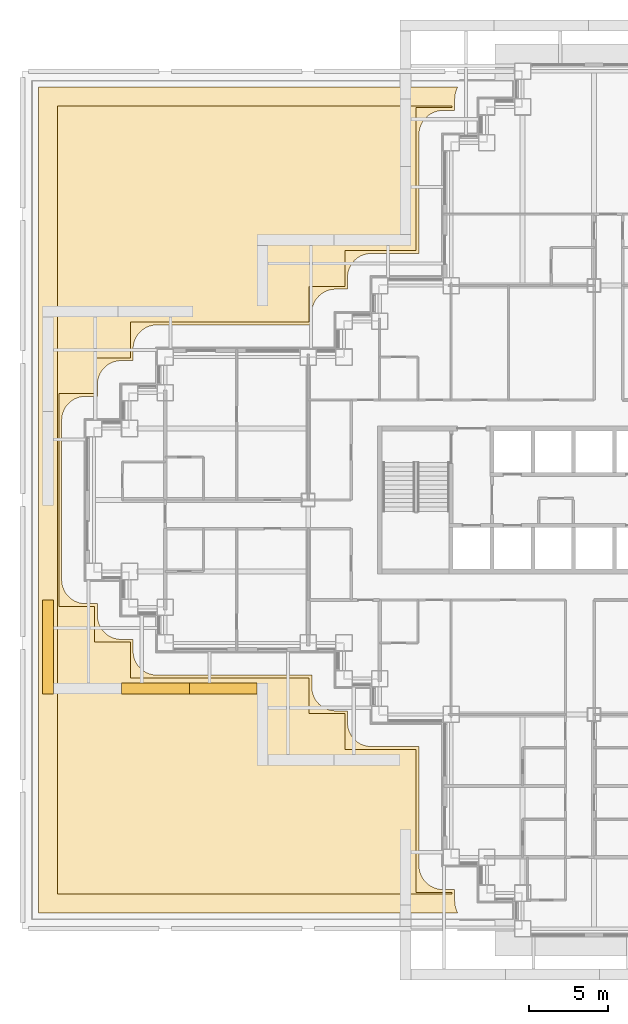
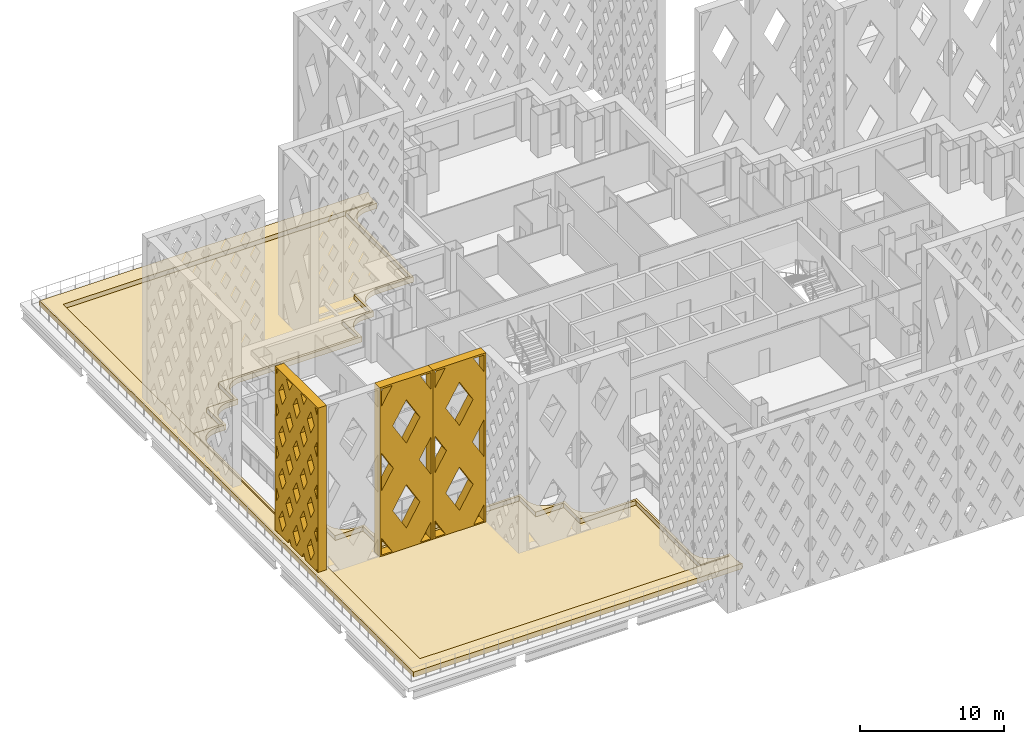
# One storey, part 15 of 26: 3 shading devices, 2 coverings.
"""IFC4 building model written with IfcOpenShell, lengths in metres."""

from ifc_helpers import new_model, si_unit, direction, frame, origin, place, context, subcontext, project, spatial, polyline, outline, extrude, material, layer, layer_set, type_object, element, save


model = new_model("IFC4")

# Units and contexts
model_context = context("Model", 3, precision=1e-05, world=origin(), true_north=direction((0.0, 1.0)))
body_context = subcontext(model_context, "Body", "Model", "MODEL_VIEW")
ifc_project = project(units=[si_unit("LENGTHUNIT", "METRE"), si_unit("AREAUNIT", "SQUARE_METRE"), si_unit("VOLUMEUNIT", "CUBIC_METRE"), si_unit("PLANEANGLEUNIT", "RADIAN"), si_unit("MASSUNIT", "GRAM", prefix="KILO")], contexts=[model_context])

# Site, building, storey
site_placement = place(None, origin())
site = spatial("IfcSite", under=ifc_project, at=site_placement, CompositionType="ELEMENT")
building_placement = place(site_placement, origin())
building = spatial("IfcBuilding", under=site, at=building_placement, Name="Caravel Reach Hotel and Residences", CompositionType="ELEMENT")
storey_placement = place(building_placement, frame((0.0, 0.0, 33.60009765625)))
storey = spatial("IfcBuildingStorey", under=building, at=storey_placement, Name="L06", CompositionType="ELEMENT", Elevation=33.60009765625)

# Shading devices
ifc_material_1 = material(Name="Black powder-coated aluminium", Category="aluminium")
shading_device_type_1 = type_object("IfcShadingDeviceType", Name="Diamond lattice screen panel 4267 x 14400", PredefinedType="USERDEFINED", material=ifc_material_1)
for number, where, z_axis, x_axis, name in (
    (1, (1.74169921875, 15.47509765625, 0.0), (0.0, -1.0, 0.0), (1.0, 0.0, 0.0), "Lattice screen L06-L09 18.2"),
    (2, (6.00830078125, 15.47509765625, 0.0), (0.0, -1.0, 0.0), (1.0, 0.0, 0.0), "Lattice screen L06-L09 18.3"),
):
    element("IfcShadingDevice", number, at=place(storey_placement, frame(where, z_axis=z_axis, x_axis=x_axis)), inside=storey, type_object=shading_device_type_1, Name=name, ObjectType="SCREEN", PredefinedType="USERDEFINED", context=body_context, shape_type="SweptSolid", body=[
        extrude(outline(polyline([(0.0, 0.0), (4.2666015625, 0.0), (4.2666015625, 14.39990234375), (0.0, 14.39990234375), (0.0, 0.0)]), holes=[polyline([(1.003662109375, 0.14990234375), (0.14990234375, 1.590576171875), (0.14990234375, 0.14990234375), (1.003662109375, 0.14990234375)]), polyline([(1.092529296875, 7.199951171875), (0.14990234375, 8.790771484375), (0.14990234375, 5.609375), (1.092529296875, 7.199951171875)]), polyline([(0.14990234375, 12.809326171875), (1.003662109375, 14.25), (0.14990234375, 14.25), (0.14990234375, 12.809326171875)]), polyline([(2.13330078125, 5.44384765625), (1.040771484375, 3.60009765625), (2.13330078125, 1.756103515625), (3.225830078125, 3.60009765625), (2.13330078125, 5.44384765625)]), polyline([(2.13330078125, 12.643798828125), (1.040771484375, 10.800048828125), (2.13330078125, 8.956298828125), (3.225830078125, 10.800048828125), (2.13330078125, 12.643798828125)]), polyline([(4.11669921875, 1.590576171875), (3.262939453125, 0.14990234375), (4.11669921875, 0.14990234375), (4.11669921875, 1.590576171875)]), polyline([(3.174072265625, 7.199951171875), (4.11669921875, 5.609375), (4.11669921875, 8.790771484375), (3.174072265625, 7.199951171875)]), polyline([(3.262939453125, 14.25), (4.11669921875, 12.809326171875), (4.11669921875, 14.25), (3.262939453125, 14.25)])]), origin(), (0.0, 0.0, 1.0), 0.7001953125),
    ])
ifc_material_2 = material(Name="Black powder-coated aluminium", Category="aluminium")
shading_device_type_2 = type_object("IfcShadingDeviceType", Name="Diamond lattice screen panel 5937 x 14400", PredefinedType="USERDEFINED", material=ifc_material_2)
shading_device_placement = place(storey_placement, frame((-2.52490234375, 20.71240234375, 0.0), z_axis=(-1.0, 0.0, 0.0), x_axis=(0.0, -1.0, 0.0)))
element("IfcShadingDevice", 3, at=shading_device_placement, inside=storey, type_object=shading_device_type_2, Name="Lattice screen L06-L09 17.4", ObjectType="SCREEN", PredefinedType="USERDEFINED", context=body_context, shape_type="SweptSolid", body=[
    extrude(outline(polyline([(0.0, 0.0), (5.9375, 0.0), (5.9375, 14.39990234375), (0.0, 14.39990234375), (0.0, 0.0)]), holes=[polyline([(0.412353515625, 0.14990234375), (0.14990234375, 0.626953125), (0.14990234375, 0.14990234375), (0.412353515625, 0.14990234375)]), polyline([(0.49462890625, 3.60009765625), (0.14990234375, 4.22705078125), (0.14990234375, 2.972900390625), (0.49462890625, 3.60009765625)]), polyline([(0.49462890625, 7.199951171875), (0.14990234375, 7.826904296875), (0.14990234375, 6.572998046875), (0.49462890625, 7.199951171875)]), polyline([(0.49462890625, 10.800048828125), (0.14990234375, 11.427001953125), (0.14990234375, 10.173095703125), (0.49462890625, 10.800048828125)]), polyline([(0.14990234375, 13.77294921875), (0.412353515625, 14.25), (0.14990234375, 14.25), (0.14990234375, 13.77294921875)]), polyline([(0.989501953125, 2.699951171875), (0.494873046875, 1.800048828125), (0.989501953125, 0.900146484375), (1.484375, 1.800048828125), (0.989501953125, 2.699951171875)]), polyline([(0.989501953125, 6.2998046875), (0.494873046875, 5.39990234375), (0.989501953125, 4.500244140625), (1.484375, 5.39990234375), (0.989501953125, 6.2998046875)]), polyline([(0.989501953125, 9.89990234375), (0.494873046875, 9.0), (0.989501953125, 8.10009765625), (1.484375, 9.0), (0.989501953125, 9.89990234375)]), polyline([(0.989501953125, 13.499755859375), (0.494873046875, 12.60009765625), (0.989501953125, 11.7001953125), (1.484375, 12.60009765625), (0.989501953125, 13.499755859375)]), polyline([(1.979248046875, 0.89990234375), (1.56689453125, 0.14990234375), (2.391357421875, 0.14990234375), (1.979248046875, 0.89990234375)]), polyline([(1.979248046875, 4.499755859375), (1.484375, 3.60009765625), (1.979248046875, 2.7001953125), (2.473876953125, 3.60009765625), (1.979248046875, 4.499755859375)]), polyline([(1.979248046875, 8.099853515625), (1.484375, 7.199951171875), (1.979248046875, 6.300048828125), (2.473876953125, 7.199951171875), (1.979248046875, 8.099853515625)]), polyline([(1.979248046875, 11.699951171875), (1.484375, 10.800048828125), (1.979248046875, 9.900146484375), (2.473876953125, 10.800048828125), (1.979248046875, 11.699951171875)]), polyline([(1.979248046875, 13.500244140625), (2.391357421875, 14.25), (1.56689453125, 14.25), (1.979248046875, 13.500244140625)]), polyline([(2.96875, 2.699951171875), (2.47412109375, 1.800048828125), (2.96875, 0.900146484375), (3.46337890625, 1.800048828125), (2.96875, 2.699951171875)]), polyline([(2.96875, 6.2998046875), (2.47412109375, 5.39990234375), (2.96875, 4.500244140625), (3.46337890625, 5.39990234375), (2.96875, 6.2998046875)]), polyline([(2.96875, 9.89990234375), (2.47412109375, 9.0), (2.96875, 8.10009765625), (3.46337890625, 9.0), (2.96875, 9.89990234375)]), polyline([(2.96875, 13.499755859375), (2.47412109375, 12.60009765625), (2.96875, 11.7001953125), (3.46337890625, 12.60009765625), (2.96875, 13.499755859375)]), polyline([(3.958251953125, 0.89990234375), (3.546142578125, 0.14990234375), (4.37060546875, 0.14990234375), (3.958251953125, 0.89990234375)]), polyline([(3.958251953125, 4.499755859375), (3.463623046875, 3.60009765625), (3.958251953125, 2.7001953125), (4.453125, 3.60009765625), (3.958251953125, 4.499755859375)]), polyline([(3.958251953125, 8.099853515625), (3.463623046875, 7.199951171875), (3.958251953125, 6.300048828125), (4.453125, 7.199951171875), (3.958251953125, 8.099853515625)]), polyline([(3.958251953125, 11.699951171875), (3.463623046875, 10.800048828125), (3.958251953125, 9.900146484375), (4.453125, 10.800048828125), (3.958251953125, 11.699951171875)]), polyline([(3.958251953125, 13.500244140625), (4.37060546875, 14.25), (3.546142578125, 14.25), (3.958251953125, 13.500244140625)]), polyline([(4.947998046875, 2.699951171875), (4.453125, 1.800048828125), (4.947998046875, 0.900146484375), (5.442626953125, 1.800048828125), (4.947998046875, 2.699951171875)]), polyline([(4.947998046875, 6.2998046875), (4.453125, 5.39990234375), (4.947998046875, 4.500244140625), (5.442626953125, 5.39990234375), (4.947998046875, 6.2998046875)]), polyline([(4.947998046875, 9.89990234375), (4.453125, 9.0), (4.947998046875, 8.10009765625), (5.442626953125, 9.0), (4.947998046875, 9.89990234375)]), polyline([(4.947998046875, 13.499755859375), (4.453125, 12.60009765625), (4.947998046875, 11.7001953125), (5.442626953125, 12.60009765625), (4.947998046875, 13.499755859375)]), polyline([(5.78759765625, 0.626953125), (5.525146484375, 0.14990234375), (5.78759765625, 0.14990234375), (5.78759765625, 0.626953125)]), polyline([(5.44287109375, 3.60009765625), (5.78759765625, 2.972900390625), (5.78759765625, 4.22705078125), (5.44287109375, 3.60009765625)]), polyline([(5.44287109375, 7.199951171875), (5.78759765625, 6.572998046875), (5.78759765625, 7.826904296875), (5.44287109375, 7.199951171875)]), polyline([(5.44287109375, 10.800048828125), (5.78759765625, 10.173095703125), (5.78759765625, 11.427001953125), (5.44287109375, 10.800048828125)]), polyline([(5.525146484375, 14.25), (5.78759765625, 13.77294921875), (5.78759765625, 14.25), (5.525146484375, 14.25)])]), origin(), (0.0, 0.0, 1.0), 0.7001953125),
])

# Coverings
ifc_material_3 = material(Name="Planting soil in aluminium planter", Category="aluminium")
covering_type_1 = type_object("IfcCoveringType", Name="PL1 Planter bed 1200", PredefinedType="USERDEFINED", material=ifc_material_3)
covering_1_placement = place(storey_placement, origin())
element("IfcCovering", 4, at=covering_1_placement, inside=storey, type_object=covering_type_1, Name="Planter podium terrace 2.1", ObjectType="PLANTER", PredefinedType="USERDEFINED", context=body_context, shape_type="SweptSolid", body=[
    extrude(outline(polyline([(22.912841796875, 53.0), (-3.5, 53.0), (-3.5, 1.0), (22.912841796875, 1.0), (22.902099609375, 1.017822265625), (22.839111328125, 1.15087890625), (22.78955078125, 1.28955078125), (22.75390625, 1.432373046875), (22.732177734375, 1.577880859375), (22.72509765625, 1.72509765625), (22.72509765625, 2.47509765625), (21.97509765625, 2.47509765625), (21.827880859375, 2.482177734375), (21.682373046875, 2.50390625), (21.53955078125, 2.53955078125), (21.40087890625, 2.589111328125), (21.267822265625, 2.652099609375), (21.1416015625, 2.727783203125), (21.0234375, 2.8154296875), (20.914306640625, 2.914306640625), (20.8154296875, 3.0234375), (20.727783203125, 3.1416015625), (20.652099609375, 3.267822265625), (20.589111328125, 3.40087890625), (20.53955078125, 3.53955078125), (20.50390625, 3.682373046875), (20.482177734375, 3.827880859375), (20.47509765625, 3.97509765625), (20.47509765625, 11.47509765625), (17.47509765625, 11.47509765625), (17.327880859375, 11.482177734375), (17.182373046875, 11.50390625), (17.03955078125, 11.53955078125), (16.90087890625, 11.589111328125), (16.767822265625, 11.652099609375), (16.6416015625, 11.727783203125), (16.5234375, 11.8154296875), (16.414306640625, 11.914306640625), (16.3154296875, 12.0234375), (16.227783203125, 12.1416015625), (16.152099609375, 12.267822265625), (16.089111328125, 12.40087890625), (16.03955078125, 12.53955078125), (16.00390625, 12.682373046875), (15.982177734375, 12.827880859375), (15.97509765625, 12.97509765625), (15.97509765625, 13.72509765625), (15.22509765625, 13.72509765625), (15.077880859375, 13.732177734375), (14.932373046875, 13.75390625), (14.78955078125, 13.78955078125), (14.65087890625, 13.839111328125), (14.517822265625, 13.902099609375), (14.3916015625, 13.977783203125), (14.2734375, 14.0654296875), (14.164306640625, 14.164306640625), (14.0654296875, 14.2734375), (13.977783203125, 14.3916015625), (13.902099609375, 14.517822265625), (13.839111328125, 14.65087890625), (13.78955078125, 14.78955078125), (13.75390625, 14.932373046875), (13.732177734375, 15.077880859375), (13.72509765625, 15.22509765625), (13.72509765625, 15.97509765625), (3.97509765625, 15.97509765625), (3.827880859375, 15.982177734375), (3.682373046875, 16.00390625), (3.53955078125, 16.03955078125), (3.40087890625, 16.089111328125), (3.267822265625, 16.152099609375), (3.1416015625, 16.227783203125), (3.0234375, 16.3154296875), (2.914306640625, 16.414306640625), (2.8154296875, 16.5234375), (2.727783203125, 16.6416015625), (2.652099609375, 16.767822265625), (2.589111328125, 16.90087890625), (2.53955078125, 17.03955078125), (2.50390625, 17.182373046875), (2.482177734375, 17.327880859375), (2.47509765625, 17.47509765625), (2.47509765625, 18.22509765625), (1.72509765625, 18.22509765625), (1.577880859375, 18.232177734375), (1.432373046875, 18.25390625), (1.28955078125, 18.28955078125), (1.15087890625, 18.339111328125), (1.017822265625, 18.402099609375), (0.8916015625, 18.477783203125), (0.7734375, 18.5654296875), (0.664306640625, 18.664306640625), (0.5654296875, 18.7734375), (0.477783203125, 18.8916015625), (0.402099609375, 19.017822265625), (0.339111328125, 19.15087890625), (0.28955078125, 19.28955078125), (0.25390625, 19.432373046875), (0.232177734375, 19.577880859375), (0.22509765625, 19.72509765625), (0.22509765625, 20.47509765625), (-0.52490234375, 20.47509765625), (-0.672119140625, 20.482177734375), (-0.817626953125, 20.50390625), (-0.96044921875, 20.53955078125), (-1.09912109375, 20.589111328125), (-1.232177734375, 20.652099609375), (-1.3583984375, 20.727783203125), (-1.4765625, 20.8154296875), (-1.585693359375, 20.914306640625), (-1.6845703125, 21.0234375), (-1.772216796875, 21.1416015625), (-1.847900390625, 21.267822265625), (-1.910888671875, 21.40087890625), (-1.96044921875, 21.53955078125), (-1.99609375, 21.682373046875), (-2.017822265625, 21.827880859375), (-2.02490234375, 21.97509765625), (-2.02490234375, 32.02490234375), (-2.017822265625, 32.172119140625), (-1.99609375, 32.317626953125), (-1.96044921875, 32.46044921875), (-1.910888671875, 32.59912109375), (-1.847900390625, 32.732177734375), (-1.772216796875, 32.8583984375), (-1.6845703125, 32.9765625), (-1.585693359375, 33.085693359375), (-1.4765625, 33.1845703125), (-1.3583984375, 33.272216796875), (-1.232177734375, 33.347900390625), (-1.09912109375, 33.410888671875), (-0.96044921875, 33.46044921875), (-0.817626953125, 33.49609375), (-0.672119140625, 33.517822265625), (-0.52490234375, 33.52490234375), (0.22509765625, 33.52490234375), (0.22509765625, 34.27490234375), (0.232177734375, 34.422119140625), (0.25390625, 34.567626953125), (0.28955078125, 34.71044921875), (0.339111328125, 34.84912109375), (0.402099609375, 34.982177734375), (0.477783203125, 35.1083984375), (0.5654296875, 35.2265625), (0.664306640625, 35.335693359375), (0.7734375, 35.4345703125), (0.8916015625, 35.522216796875), (1.017822265625, 35.597900390625), (1.15087890625, 35.660888671875), (1.28955078125, 35.71044921875), (1.432373046875, 35.74609375), (1.577880859375, 35.767822265625), (1.72509765625, 35.77490234375), (2.47509765625, 35.77490234375), (2.47509765625, 36.52490234375), (2.482177734375, 36.672119140625), (2.50390625, 36.817626953125), (2.53955078125, 36.96044921875), (2.589111328125, 37.09912109375), (2.652099609375, 37.232177734375), (2.727783203125, 37.3583984375), (2.8154296875, 37.4765625), (2.914306640625, 37.585693359375), (3.0234375, 37.6845703125), (3.1416015625, 37.772216796875), (3.267822265625, 37.847900390625), (3.40087890625, 37.910888671875), (3.53955078125, 37.96044921875), (3.682373046875, 37.99609375), (3.827880859375, 38.017822265625), (3.97509765625, 38.02490234375), (13.72509765625, 38.02490234375), (13.72509765625, 38.77490234375), (13.732177734375, 38.922119140625), (13.75390625, 39.067626953125), (13.78955078125, 39.21044921875), (13.839111328125, 39.34912109375), (13.902099609375, 39.482177734375), (13.977783203125, 39.6083984375), (14.0654296875, 39.7265625), (14.164306640625, 39.835693359375), (14.2734375, 39.9345703125), (14.3916015625, 40.022216796875), (14.517822265625, 40.097900390625), (14.65087890625, 40.160888671875), (14.78955078125, 40.21044921875), (14.932373046875, 40.24609375), (15.077880859375, 40.267822265625), (15.22509765625, 40.27490234375), (15.97509765625, 40.27490234375), (15.97509765625, 41.02490234375), (15.982177734375, 41.172119140625), (16.00390625, 41.317626953125), (16.03955078125, 41.46044921875), (16.089111328125, 41.59912109375), (16.152099609375, 41.732177734375), (16.227783203125, 41.8583984375), (16.3154296875, 41.9765625), (16.414306640625, 42.085693359375), (16.5234375, 42.1845703125), (16.6416015625, 42.272216796875), (16.767822265625, 42.347900390625), (16.90087890625, 42.410888671875), (17.03955078125, 42.46044921875), (17.182373046875, 42.49609375), (17.327880859375, 42.517822265625), (17.47509765625, 42.52490234375), (20.47509765625, 42.52490234375), (20.47509765625, 50.02490234375), (20.482177734375, 50.172119140625), (20.50390625, 50.317626953125), (20.53955078125, 50.46044921875), (20.589111328125, 50.59912109375), (20.652099609375, 50.732177734375), (20.727783203125, 50.8583984375), (20.8154296875, 50.9765625), (20.914306640625, 51.085693359375), (21.0234375, 51.1845703125), (21.1416015625, 51.272216796875), (21.267822265625, 51.347900390625), (21.40087890625, 51.410888671875), (21.53955078125, 51.46044921875), (21.682373046875, 51.49609375), (21.827880859375, 51.517822265625), (21.97509765625, 51.52490234375), (22.72509765625, 51.52490234375), (22.72509765625, 52.27490234375), (22.732177734375, 52.422119140625), (22.75390625, 52.567626953125), (22.78955078125, 52.71044921875), (22.839111328125, 52.84912109375), (22.902099609375, 52.982177734375), (22.912841796875, 53.0)]), holes=[polyline([(22.550048828125, 2.300048828125), (22.550048828125, 2.199951171875), (-2.300048828125, 2.199951171875), (-2.300048828125, 51.800048828125), (22.550048828125, 51.800048828125), (22.550048828125, 51.699951171875), (20.300048828125, 51.699951171875), (20.300048828125, 42.699951171875), (15.800048828125, 42.699951171875), (15.800048828125, 40.449951171875), (13.550048828125, 40.449951171875), (13.550048828125, 38.199951171875), (2.300048828125, 38.199951171875), (2.300048828125, 35.949951171875), (0.050048828125, 35.949951171875), (0.050048828125, 33.699951171875), (-2.199951171875, 33.699951171875), (-2.199951171875, 20.300048828125), (0.050048828125, 20.300048828125), (0.050048828125, 18.050048828125), (2.300048828125, 18.050048828125), (2.300048828125, 15.800048828125), (13.550048828125, 15.800048828125), (13.550048828125, 13.550048828125), (15.800048828125, 13.550048828125), (15.800048828125, 11.300048828125), (20.300048828125, 11.300048828125), (20.300048828125, 2.300048828125), (22.550048828125, 2.300048828125)])]), origin(), (0.0, 0.0, 1.0), 0.449951171875),
])
ifc_material_4 = material(Name="Porcelain paving")
ifc_layer = layer(ifc_material_4, 0.050048828125)
ifc_layer_set = layer_set([ifc_layer], Name="TF1 Terrace paving finish 50")
covering_type_2 = type_object("IfcCoveringType", Name="TF1 Terrace paving finish 50", PredefinedType="FLOORING", material=ifc_layer_set)
covering_2_placement = place(storey_placement, origin())
element("IfcCovering", 5, at=covering_2_placement, inside=storey, type_object=covering_type_2, Name="Podium terrace paving 2.2", PredefinedType="FLOORING", context=body_context, shape_type="SweptSolid", body=[
    extrude(outline(polyline([(22.550048828125, 2.199951171875), (22.550048828125, 2.300048828125), (20.300048828125, 2.300048828125), (20.300048828125, 11.300048828125), (15.800048828125, 11.300048828125), (15.800048828125, 13.550048828125), (13.550048828125, 13.550048828125), (13.550048828125, 15.800048828125), (2.300048828125, 15.800048828125), (2.300048828125, 18.050048828125), (0.050048828125, 18.050048828125), (0.050048828125, 20.300048828125), (-2.199951171875, 20.300048828125), (-2.199951171875, 33.699951171875), (0.050048828125, 33.699951171875), (0.050048828125, 35.949951171875), (2.300048828125, 35.949951171875), (2.300048828125, 38.199951171875), (13.550048828125, 38.199951171875), (13.550048828125, 40.449951171875), (15.800048828125, 40.449951171875), (15.800048828125, 42.699951171875), (20.300048828125, 42.699951171875), (20.300048828125, 51.699951171875), (22.550048828125, 51.699951171875), (22.550048828125, 51.800048828125), (-2.300048828125, 51.800048828125), (-2.300048828125, 2.199951171875), (22.550048828125, 2.199951171875)])), origin(), (0.0, 0.0, 1.0), 0.0498046875),
])

save(model, "model.ifc")
